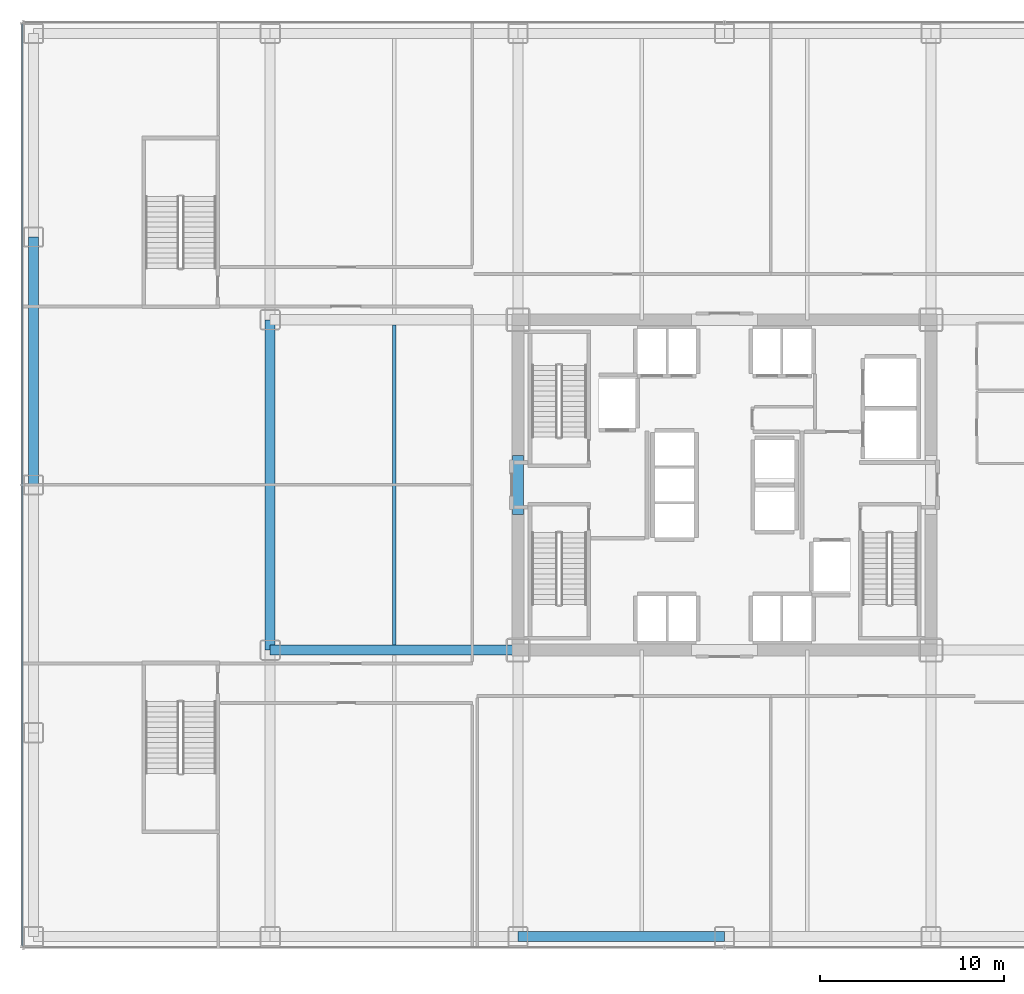
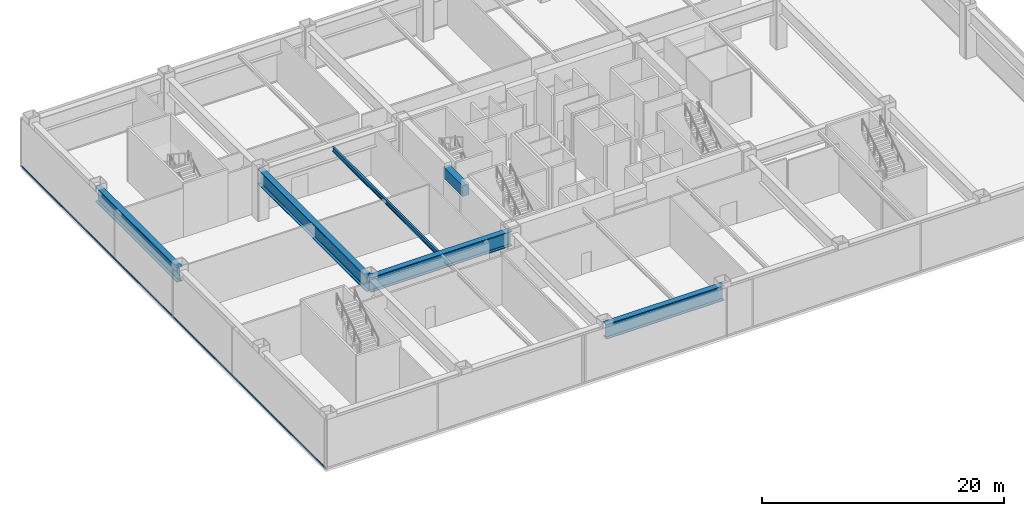
# One storey, part 5 of 24: 6 beams, 1 member, 1 element without a shape of its own.
"""IFC4 building model written with IfcOpenShell, lengths in metres."""

import ifcopenshell
import ifcopenshell.guid

model = None  # the IFC model being written
_history = None  # IfcOwnerHistory: only IFC2X3 demands one
_inside = {}  # id of a spatial element -> (the spatial element, [elements in it])
_under = {}  # id of a project, library or spatial element -> (it, [spatial elements below it])
_declared = {}  # id of a project -> (the project, [libraries it declares])
_typed = {}  # id of a type object -> (the type object, [elements of that type])
_made_of = {}  # id of a material, layer set ... -> (it, [elements and type objects made of it])


def new_model(schema):
    """Start an empty IFC model of exactly this schema.

    Asked for "IFC4X3", IfcOpenShell would pick the latest addendum, in which some entities
    have other attributes; the version numbers below select the first issue.
    IFC2X3 requires an IfcOwnerHistory on every rooted entity: one is made here for all.
    """
    global model, _history
    if schema == "IFC4X3":
        model = ifcopenshell.file(schema_version=(4, 3, 0, 0))
    else:
        model = ifcopenshell.file(schema=schema)
    _inside.clear()
    _under.clear()
    _declared.clear()
    _typed.clear()
    _made_of.clear()
    _history = None
    if model.schema == "IFC2X3":
        org = make("IfcOrganization", Name="unknown")
        user = make(
            "IfcPersonAndOrganization",
            ThePerson=make("IfcPerson", FamilyName="unknown"),
            TheOrganization=org,
        )
        app = make(
            "IfcApplication",
            ApplicationDeveloper=org,
            Version="unknown",
            ApplicationFullName="unknown",
            ApplicationIdentifier="unknown",
        )
        _history = make(
            "IfcOwnerHistory",
            OwningUser=user,
            OwningApplication=app,
            ChangeAction="ADDED",
            CreationDate=0,
        )
    return model


def make(cls, **values):
    """One entity of the class cls with the attributes given. An attribute that is None is left unset."""
    return model.create_entity(
        cls, **{name: value for name, value in values.items() if value is not None}
    )


def rooted(cls, **values):
    """An entity with a GlobalId (a new one), such as an element, a storey or a relation."""
    return make(cls, GlobalId=ifcopenshell.guid.new(), OwnerHistory=_history, **values)


def si_unit(unit_type, name, prefix=None):
    """IfcSIUnit, for example si_unit("LENGTHUNIT", "METRE", prefix="MILLI")."""
    return make("IfcSIUnit", UnitType=unit_type, Prefix=prefix, Name=name)


def assignment(units):
    """IfcUnitAssignment: the units of a project."""
    return None if units is None else make("IfcUnitAssignment", Units=units)


def point(xyz):
    """IfcCartesianPoint."""
    return None if xyz is None else make("IfcCartesianPoint", Coordinates=xyz)


def direction(xyz):
    """IfcDirection."""
    return None if xyz is None else make("IfcDirection", DirectionRatios=xyz)


def frame(location, z_axis=None, x_axis=None):
    """IfcAxis2Placement3D, a coordinate frame: its origin and axes. An axis left out is left unset."""
    return make(
        "IfcAxis2Placement3D",
        Location=point(location),
        Axis=direction(z_axis),
        RefDirection=direction(x_axis),
    )


def frame_2d(location, x_axis=None):
    """IfcAxis2Placement2D, a coordinate frame in the plane: its origin and x axis."""
    return make(
        "IfcAxis2Placement2D", Location=point(location), RefDirection=direction(x_axis)
    )


def origin():
    """The frame at (0, 0, 0) with its axes left unset."""
    return frame((0.0, 0.0, 0.0))


def origin_2d():
    """The frame at (0, 0) in the plane with its x axis left unset."""
    return frame_2d((0.0, 0.0))


def place(relative_to, where):
    """IfcLocalPlacement: puts the frame where relative to a parent placement (None: the world)."""
    return make(
        "IfcLocalPlacement", PlacementRelTo=relative_to, RelativePlacement=where
    )


def context(
    kind, dimensions, precision=None, world=None, true_north=None, identifier=None
):
    """IfcGeometricRepresentationContext, for example the 3D "Model" context."""
    return make(
        "IfcGeometricRepresentationContext",
        ContextIdentifier=identifier,
        ContextType=kind,
        CoordinateSpaceDimension=dimensions,
        Precision=precision,
        WorldCoordinateSystem=world,
        TrueNorth=true_north,
    )


def subcontext(parent, identifier, kind, view, scale=None):
    """IfcGeometricRepresentationSubContext, for example "Body" below "Model"."""
    return make(
        "IfcGeometricRepresentationSubContext",
        ContextIdentifier=identifier,
        ContextType=kind,
        ParentContext=parent,
        TargetScale=scale,
        TargetView=view,
    )


def project(units=None, contexts=None):
    """IfcProject with its units and contexts."""
    return rooted(
        "IfcProject",
        Name="project",
        RepresentationContexts=contexts,
        UnitsInContext=assignment(units),
    )


def spatial(cls, under=None, at=None, **own):
    """A site, building, storey or space (cls), placed at a placement, below another one or the project."""
    s = rooted(cls, ObjectPlacement=at, **own)
    if under is not None:
        _under.setdefault(under.id(), (under, []))[1].append(s)
    return s


def profile(cls, at=None, kind="AREA", **sizes):
    """A parametric profile (cls). Its sizes go by their IFC names, for example OverallWidth=200.0."""
    return make(cls, ProfileType=kind, Position=at, **sizes)


def rectangle(**sizes):
    """IfcRectangleProfileDef."""
    return profile("IfcRectangleProfileDef", **sizes)


def hollow_rectangle(**sizes):
    """IfcRectangleHollowProfileDef."""
    return profile("IfcRectangleHollowProfileDef", **sizes)


def i_section(**sizes):
    """IfcIShapeProfileDef."""
    return profile("IfcIShapeProfileDef", **sizes)


def extrude(swept, where, along, depth):
    """IfcExtrudedAreaSolid: the profile swept, set in the frame where, extruded along a direction by depth."""
    return make(
        "IfcExtrudedAreaSolid",
        SweptArea=swept,
        Position=where,
        ExtrudedDirection=direction(along),
        Depth=depth,
    )


def shape(context_of_items, identifier, shape_type, items):
    """IfcShapeRepresentation: the items that make up one representation, for example the "Body"."""
    return make(
        "IfcShapeRepresentation",
        ContextOfItems=context_of_items,
        RepresentationIdentifier=identifier,
        RepresentationType=shape_type,
        Items=items,
    )


def source(mapping_origin, context_of_items, identifier, shape_type, items):
    """IfcRepresentationMap: a shape defined once, which mapped items show again and again."""
    return make(
        "IfcRepresentationMap",
        MappingOrigin=mapping_origin,
        MappedRepresentation=shape(context_of_items, identifier, shape_type, items),
    )


def transform(
    local_origin,
    x_axis=None,
    y_axis=None,
    z_axis=None,
    scale=None,
    scale2=None,
    scale3=None,
    uniform=True,
):
    """IfcCartesianTransformationOperator3D, or its non-uniform kind. x_axis, y_axis, z_axis: its Axis1, 2, 3."""
    if uniform:
        return make(
            "IfcCartesianTransformationOperator3D",
            Axis1=direction(x_axis),
            Axis2=direction(y_axis),
            LocalOrigin=point(local_origin),
            Scale=scale,
            Axis3=direction(z_axis),
        )
    return make(
        "IfcCartesianTransformationOperator3DnonUniform",
        Axis1=direction(x_axis),
        Axis2=direction(y_axis),
        LocalOrigin=point(local_origin),
        Scale=scale,
        Axis3=direction(z_axis),
        Scale2=scale2,
        Scale3=scale3,
    )


def mapped(mapping_source, mapping_target):
    """IfcMappedItem: shows the shape of a source again, moved by a transform."""
    return make(
        "IfcMappedItem", MappingSource=mapping_source, MappingTarget=mapping_target
    )


def material(Name=None, Category=None):
    """IfcMaterial."""
    return make("IfcMaterial", Name=Name, Category=Category)


def layer(
    of_material, thickness, ventilated=None, Name=None, Category=None, Priority=None
):
    """IfcMaterialLayer: one layer of a wall or slab, of a material (None: an air gap)."""
    return make(
        "IfcMaterialLayer",
        Material=of_material,
        LayerThickness=thickness,
        IsVentilated=ventilated,
        Name=Name,
        Category=Category,
        Priority=Priority,
    )


def layer_set(layers, Name=None):
    """IfcMaterialLayerSet."""
    return make("IfcMaterialLayerSet", MaterialLayers=layers, LayerSetName=Name)


def material_profile(
    of_material, cross_section, Name=None, Category=None, Priority=None
):
    """IfcMaterialProfile: a cross section and its material."""
    return make(
        "IfcMaterialProfile",
        Name=Name,
        Material=of_material,
        Profile=cross_section,
        Priority=Priority,
        Category=Category,
    )


def profile_set(profiles, Name=None, composite=None):
    """IfcMaterialProfileSet."""
    return make(
        "IfcMaterialProfileSet",
        Name=Name,
        MaterialProfiles=profiles,
        CompositeProfile=composite,
    )


def made_of(thing, what):
    """Note that an element or type object is made of a material, layer set ...; save() writes the relation."""
    if what is not None:
        _made_of.setdefault(what.id(), (what, []))[1].append(thing)
    return thing


def type_object(cls, material=None, **own):
    """A type object (cls), such as IfcWallType, which elements share."""
    return made_of(rooted(cls, **own), material)


def element(
    cls,
    number,
    at=None,
    inside=None,
    cuts=None,
    type_object=None,
    material=None,
    context=None,
    identifier="Body",
    shape_type=None,
    held_by="IfcProductDefinitionShape",
    body=None,
    shapes=None,
    **own,
):
    """One element of the class cls, such as IfcWall. Its Tag is "e" and its number.

    at: its placement. inside: the storey or other place that contains it. cuts: it is an
    opening in that element (IfcRelVoidsElement). A single representation is given by context,
    identifier, shape_type and body (its items); several are given by shapes. held_by: the class
    of the entity that holds the representations. save() writes the other relations.
    """
    e = rooted(cls, Tag="e%d" % number, ObjectPlacement=at, **own)
    if body is not None:
        shapes = [shape(context, identifier, shape_type, body)]
    if shapes is not None:
        e.Representation = make(held_by, Representations=shapes)
    if inside is not None:
        _inside.setdefault(inside.id(), (inside, []))[1].append(e)
    if cuts is not None:
        rooted(
            "IfcRelVoidsElement", RelatingBuildingElement=cuts, RelatedOpeningElement=e
        )
    if type_object is not None:
        _typed.setdefault(type_object.id(), (type_object, []))[1].append(e)
    return made_of(e, material)


def aggregate(whole, parts):
    """IfcRelAggregates: a whole, such as a stair, and the parts it consists of."""
    return rooted("IfcRelAggregates", RelatingObject=whole, RelatedObjects=parts)


def save(model, path):
    """Write the relations noted so far, then the file.

    IfcRelAggregates (storeys below a building ...), IfcRelContainedInSpatialStructure (elements
    in a storey), IfcRelDefinesByType, IfcRelAssociatesMaterial and IfcRelDeclares: one each for
    every whole, place, type object, material and project.
    """
    for whole, parts in _under.values():
        aggregate(whole, parts)
    for where, things in _inside.values():
        rooted(
            "IfcRelContainedInSpatialStructure",
            RelatedElements=things,
            RelatingStructure=where,
        )
    for kind, things in _typed.values():
        rooted("IfcRelDefinesByType", RelatedObjects=things, RelatingType=kind)
    for what, things in _made_of.values():
        rooted("IfcRelAssociatesMaterial", RelatedObjects=things, RelatingMaterial=what)
    for by, libraries in _declared.values():
        rooted("IfcRelDeclares", RelatingContext=by, RelatedDefinitions=libraries)
    model.write(path)


model = new_model("IFC4")

# Units and contexts
model_context = context("Model", 3, precision=1e-05, world=origin(), true_north=direction((0.0, 1.0)))
body_context = subcontext(model_context, "Body", "Model", "MODEL_VIEW")
ifc_project = project(units=[si_unit("LENGTHUNIT", "METRE"), si_unit("AREAUNIT", "SQUARE_METRE"), si_unit("VOLUMEUNIT", "CUBIC_METRE"), si_unit("PLANEANGLEUNIT", "RADIAN"), si_unit("MASSUNIT", "GRAM", prefix="KILO")], contexts=[model_context])

# Site, building, storey
site_placement = place(None, origin())
site = spatial("IfcSite", under=ifc_project, at=site_placement, CompositionType="ELEMENT")
building_placement = place(site_placement, origin())
building = spatial("IfcBuilding", under=site, at=building_placement, Name="Nefas-Gora Pilgrimage Tower", CompositionType="ELEMENT")
storey_placement = place(building_placement, frame((0.0, 0.0, 22.199951171875)))
storey = spatial("IfcBuildingStorey", under=building, at=storey_placement, Name="L04", CompositionType="ELEMENT", Elevation=22.199951171875)

# Beams
ifc_material_1 = material(Name="Concrete C60/75", Category="concrete")
ifc_material_profile_1 = material_profile(ifc_material_1, rectangle(XDim=0.60009765625, YDim=1.10009765625, at=origin_2d()), Name="RC 600x1100")
ifc_profile_set_1 = profile_set([ifc_material_profile_1], Name="Concrete C60/75")
beam_type_1 = type_object("IfcBeamType", Name="BM-LIN-RC1100", PredefinedType="LINTEL", material=ifc_profile_set_1)
shared_shape_1 = source(origin(), body_context, "Body", "SweptSolid", [
    extrude(rectangle(XDim=0.60009765625, YDim=1.10009765625, at=origin_2d()), origin(), (0.0, 0.0, 1.0), 3.2001953125),
])
beam_1_placement = place(storey_placement, frame((-11.25, -1.60009765625, 4.3701171875), z_axis=(0.0, 1.0, 0.0), x_axis=(-1.0, 0.0, 0.0)))
element("IfcBeam", 1, at=beam_1_placement, inside=storey, type_object=beam_type_1, Name="L04 Core Coupling Lintel Beam W", PredefinedType="LINTEL", context=body_context, shape_type="MappedRepresentation", body=[
    mapped(shared_shape_1, transform((0.0, 0.0, 0.0), x_axis=(1.0, 0.0, 0.0), y_axis=(0.0, 1.0, 0.0), z_axis=(0.0, 0.0, 1.0), scale=1.0)),
])
ifc_material_2 = material(Name="Steel S460", Category="steel")
ifc_material_profile_2 = material_profile(ifc_material_2, i_section(OverallWidth=0.550048828125, OverallDepth=1.5, WebThickness=0.031982421875, FlangeThickness=0.06005859375, FilletRadius=0.02392578125, at=origin_2d()), Name="WPG 1500x550x32x60")
ifc_profile_set_2 = profile_set([ifc_material_profile_2], Name="Steel S460")
beam_type_2 = type_object("IfcBeamType", Name="BM-TR-1500E", PredefinedType="BEAM", material=ifc_profile_set_2)
shared_shape_2 = source(origin(), body_context, "Body", "SweptSolid", [
    extrude(i_section(OverallWidth=0.550048828125, OverallDepth=1.5, WebThickness=0.031982421875, FlangeThickness=0.06005859375, FilletRadius=0.02392578125, at=origin_2d()), origin(), (0.0, 0.0, 1.0), 13.5),
])
beam_2_placement = place(storey_placement, frame((-37.64990234375, 0.0, 4.170166015625), z_axis=(0.0, 1.0, 0.0), x_axis=(-1.0, 0.0, 0.0)))
element("IfcBeam", 2, at=beam_2_placement, inside=storey, type_object=beam_type_2, Name="L04 TB-01E beam", PredefinedType="BEAM", context=body_context, shape_type="MappedRepresentation", body=[
    mapped(shared_shape_2, transform((0.0, 0.0, 0.0), x_axis=(1.0, 0.0, 0.0), y_axis=(0.0, 1.0, 0.0), z_axis=(0.0, 0.0, 1.0), scale=1.0)),
])
shared_shape_3 = source(origin(), body_context, "Body", "SweptSolid", [
    extrude(i_section(OverallWidth=0.550048828125, OverallDepth=1.5, WebThickness=0.031982421875, FlangeThickness=0.06005859375, FilletRadius=0.02392578125, at=origin_2d()), origin(), (0.0, 0.0, 1.0), 11.25),
])
beam_3_placement = place(storey_placement, frame((-11.25, -24.60009765625, 4.170166015625), z_axis=(1.0, 0.0, 0.0), x_axis=(0.0, 1.0, 0.0)))
element("IfcBeam", 3, at=beam_3_placement, inside=storey, type_object=beam_type_2, Name="L04 TB-01E beam", PredefinedType="BEAM", context=body_context, shape_type="MappedRepresentation", body=[
    mapped(shared_shape_3, transform((0.0, 0.0, 0.0), x_axis=(1.0, 0.0, 0.0), y_axis=(0.0, 1.0, 0.0), z_axis=(0.0, 0.0, 1.0), scale=1.0)),
])
ifc_material_profile_3 = material_profile(ifc_material_2, i_section(OverallWidth=0.550048828125, OverallDepth=1.5, WebThickness=0.031982421875, FlangeThickness=0.06005859375, FilletRadius=0.02392578125, at=origin_2d()), Name="WPG 1500x550x32x60")
ifc_profile_set_3 = profile_set([ifc_material_profile_3], Name="Steel S460")
beam_type_3 = type_object("IfcBeamType", Name="BM-TR-1500", PredefinedType="BEAM", material=ifc_profile_set_3)
shared_shape_4 = source(origin(), body_context, "Body", "SweptSolid", [
    extrude(i_section(OverallWidth=0.550048828125, OverallDepth=1.5, WebThickness=0.031982421875, FlangeThickness=0.06005859375, FilletRadius=0.02392578125, at=origin_2d()), origin(), (0.0, 0.0, 1.0), 13.5),
])
beam_4_placement = place(storey_placement, frame((-24.75, -9.0, 4.170166015625), z_axis=(1.0, 0.0, 0.0), x_axis=(0.0, 1.0, 0.0)))
element("IfcBeam", 4, at=beam_4_placement, inside=storey, type_object=beam_type_3, Name="L04 TB-01 beam", PredefinedType="BEAM", context=body_context, shape_type="MappedRepresentation", body=[
    mapped(shared_shape_4, transform((0.0, 0.0, 0.0), x_axis=(1.0, 0.0, 0.0), y_axis=(0.0, 1.0, 0.0), z_axis=(0.0, 0.0, 1.0), scale=1.0)),
])
shared_shape_5 = source(origin(), body_context, "Body", "SweptSolid", [
    extrude(i_section(OverallWidth=0.550048828125, OverallDepth=1.5, WebThickness=0.031982421875, FlangeThickness=0.06005859375, FilletRadius=0.02392578125, at=origin_2d()), origin(), (0.0, 0.0, 1.0), 18.0),
])
beam_5_placement = place(storey_placement, frame((-24.75, -9.0, 4.170166015625), z_axis=(0.0, 1.0, 0.0), x_axis=(-1.0, 0.0, 0.0)))
element("IfcBeam", 5, at=beam_5_placement, inside=storey, type_object=beam_type_3, Name="L04 TB-01 beam", PredefinedType="BEAM", context=body_context, shape_type="MappedRepresentation", body=[
    mapped(shared_shape_5, transform((0.0, 0.0, 0.0), x_axis=(1.0, 0.0, 0.0), y_axis=(0.0, 1.0, 0.0), z_axis=(0.0, 0.0, 1.0), scale=1.0)),
])
ifc_material_3 = material(Name="Steel S355", Category="steel")
ifc_material_profile_4 = material_profile(ifc_material_3, i_section(OverallWidth=0.18994140625, OverallDepth=0.449951171875, WebThickness=0.009521484375, FlangeThickness=0.0146484375, FilletRadius=0.02099609375, at=origin_2d()), Name="IPE 450")
ifc_profile_set_4 = profile_set([ifc_material_profile_4], Name="Steel S355")
beam_type_4 = type_object("IfcBeamType", Name="BM-JST-IPE450", PredefinedType="JOIST", material=ifc_profile_set_4)
shared_shape_6 = source(origin(), body_context, "Body", "SweptSolid", [
    extrude(i_section(OverallWidth=0.18994140625, OverallDepth=0.449951171875, WebThickness=0.009521484375, FlangeThickness=0.0146484375, FilletRadius=0.02099609375, at=origin_2d()), origin(), (0.0, 0.0, 1.0), 17.43798828125),
])
beam_6_placement = place(storey_placement, frame((-18.0, -8.718994140625, 4.695068359375), z_axis=(0.0, 1.0, 0.0), x_axis=(-1.0, 0.0, 0.0)))
element("IfcBeam", 6, at=beam_6_placement, inside=storey, type_object=beam_type_4, Name="L04 J-01 beam", PredefinedType="JOIST", context=body_context, shape_type="MappedRepresentation", body=[
    mapped(shared_shape_6, transform((0.0, 0.0, 0.0), x_axis=(1.0, 0.0, 0.0), y_axis=(0.0, 1.0, 0.0), z_axis=(0.0, 0.0, 1.0), scale=1.0)),
])

# Curtain wall, member
ifc_material_4 = material(Name="Dark ceramic-fritted solar-control aluminium-glass curtain wall", Category="aluminium")
ifc_layer = layer(ifc_material_4, 0.219970703125)
ifc_layer_set = layer_set([ifc_layer], Name="Dark ceramic-fritted solar-control aluminium-glass curtain wall")
curtain_wall_type = type_object("IfcCurtainWallType", Name="CW-SYS-1", PredefinedType="NOTDEFINED", material=ifc_layer_set)
curtain_wall_placement = place(storey_placement, origin())
curtain_wall = element("IfcCurtainWall", 7, at=curtain_wall_placement, inside=storey, type_object=curtain_wall_type, Name="L04 Unitised Curtain Wall CW1", PredefinedType="NOTDEFINED")
ifc_material_5 = material(Name="Anodised architectural aluminium", Category="aluminium")
ifc_material_profile_5 = material_profile(ifc_material_5, hollow_rectangle(XDim=0.080078125, YDim=0.159912109375, WallThickness=0.00439453125, InnerFilletRadius=0.00439453125, OuterFilletRadius=0.009033203125, at=origin_2d()), Name="ALU TRANSOM 80x160")
ifc_profile_set_5 = profile_set([ifc_material_profile_5], Name="Anodised architectural aluminium")
member_type = type_object("IfcMemberType", Name="CWM-TRN-1", PredefinedType="USERDEFINED", material=ifc_profile_set_5)
shared_shape_7 = source(origin(), body_context, "Body", "SweptSolid", [
    extrude(hollow_rectangle(XDim=0.080078125, YDim=0.159912109375, WallThickness=0.00439453125, InnerFilletRadius=0.00439453125, OuterFilletRadius=0.009033203125, at=origin_2d()), origin(), (0.0, 0.0, 1.0), 50.22021484375),
])
member_placement = place(storey_placement, frame((-38.25, 25.110107421875, 0.050048828125), z_axis=(0.0, -1.0, 0.0), x_axis=(1.0, 0.0, 0.0)))
member = element("IfcMember", 8, at=member_placement, type_object=member_type, Name="CW1 Spandrel Transom", ObjectType="TRANSOM", PredefinedType="USERDEFINED", context=body_context, shape_type="MappedRepresentation", body=[
    mapped(shared_shape_7, transform((0.0, 0.0, 0.0), x_axis=(1.0, 0.0, 0.0), y_axis=(0.0, 1.0, 0.0), z_axis=(0.0, 0.0, 1.0), scale=1.0)),
])
aggregate(curtain_wall, [member])

save(model, "model.ifc")
